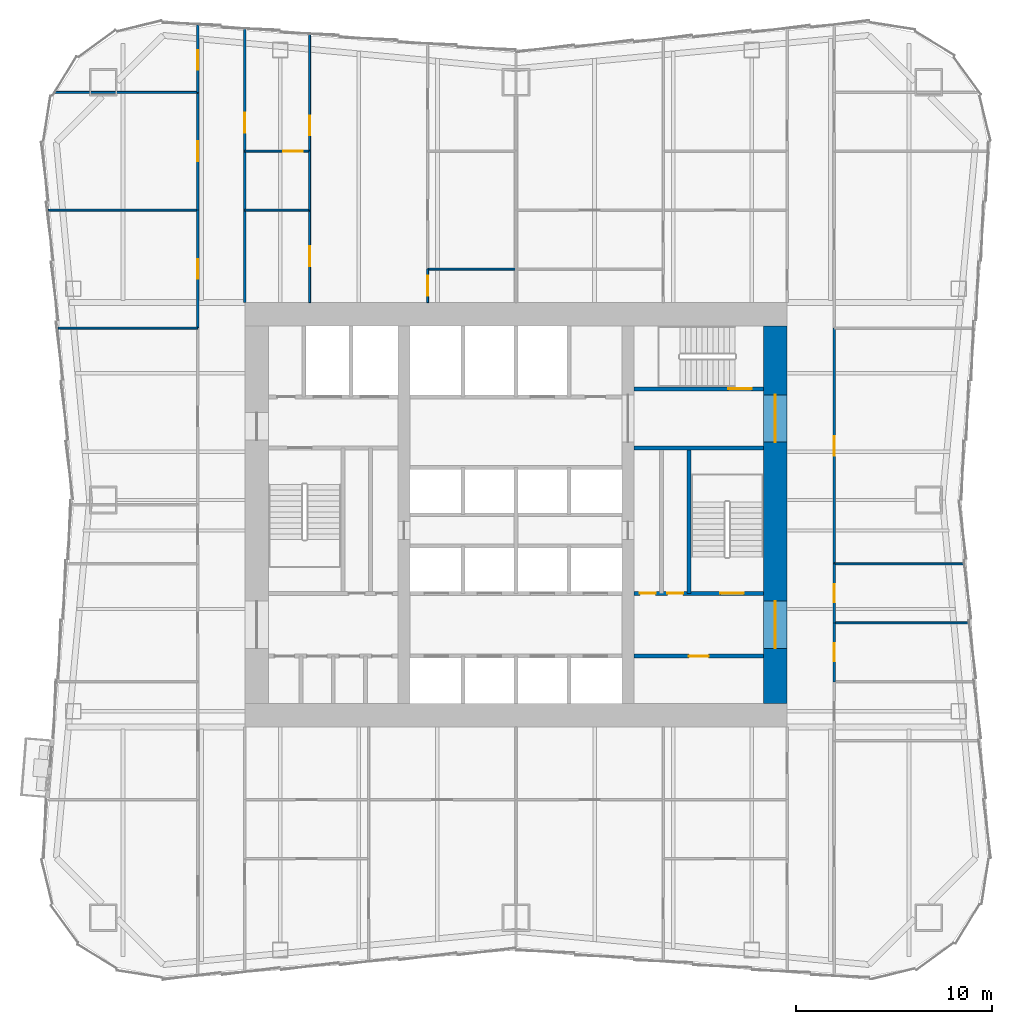
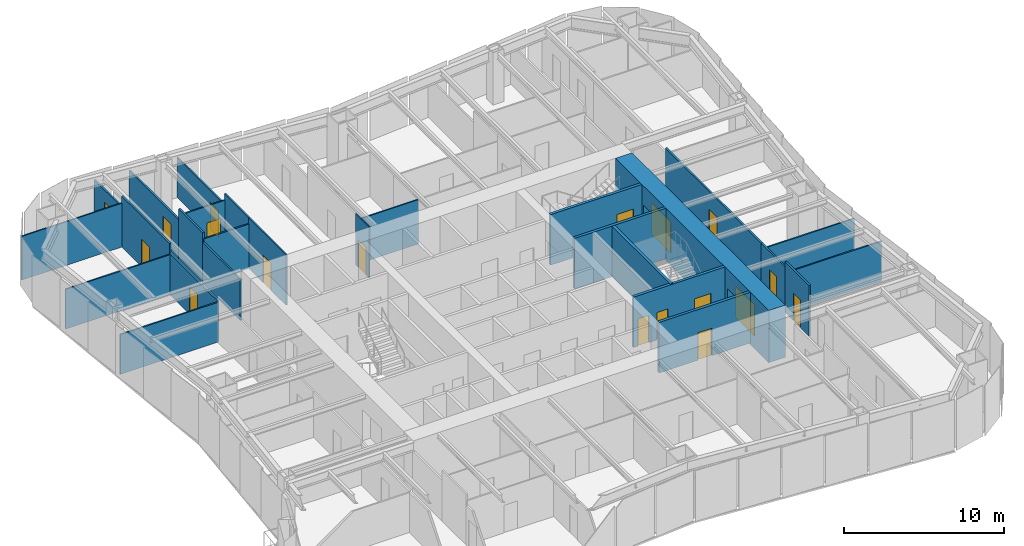
# One storey, part 6 of 9: 27 walls, 18 doors, 18 openings.
"""IFC4 building model written with IfcOpenShell, lengths in metres."""

import ifcopenshell
import ifcopenshell.guid

model = None  # the IFC model being written
_history = None  # IfcOwnerHistory: only IFC2X3 demands one
_inside = {}  # id of a spatial element -> (the spatial element, [elements in it])
_under = {}  # id of a project, library or spatial element -> (it, [spatial elements below it])
_declared = {}  # id of a project -> (the project, [libraries it declares])
_typed = {}  # id of a type object -> (the type object, [elements of that type])
_made_of = {}  # id of a material, layer set ... -> (it, [elements and type objects made of it])


def new_model(schema):
    """Start an empty IFC model of exactly this schema.

    Asked for "IFC4X3", IfcOpenShell would pick the latest addendum, in which some entities
    have other attributes; the version numbers below select the first issue.
    IFC2X3 requires an IfcOwnerHistory on every rooted entity: one is made here for all.
    """
    global model, _history
    if schema == "IFC4X3":
        model = ifcopenshell.file(schema_version=(4, 3, 0, 0))
    else:
        model = ifcopenshell.file(schema=schema)
    _inside.clear()
    _under.clear()
    _declared.clear()
    _typed.clear()
    _made_of.clear()
    _history = None
    if model.schema == "IFC2X3":
        org = make("IfcOrganization", Name="unknown")
        user = make(
            "IfcPersonAndOrganization",
            ThePerson=make("IfcPerson", FamilyName="unknown"),
            TheOrganization=org,
        )
        app = make(
            "IfcApplication",
            ApplicationDeveloper=org,
            Version="unknown",
            ApplicationFullName="unknown",
            ApplicationIdentifier="unknown",
        )
        _history = make(
            "IfcOwnerHistory",
            OwningUser=user,
            OwningApplication=app,
            ChangeAction="ADDED",
            CreationDate=0,
        )
    return model


def make(cls, **values):
    """One entity of the class cls with the attributes given. An attribute that is None is left unset."""
    return model.create_entity(
        cls, **{name: value for name, value in values.items() if value is not None}
    )


def rooted(cls, **values):
    """An entity with a GlobalId (a new one), such as an element, a storey or a relation."""
    return make(cls, GlobalId=ifcopenshell.guid.new(), OwnerHistory=_history, **values)


def si_unit(unit_type, name, prefix=None):
    """IfcSIUnit, for example si_unit("LENGTHUNIT", "METRE", prefix="MILLI")."""
    return make("IfcSIUnit", UnitType=unit_type, Prefix=prefix, Name=name)


def assignment(units):
    """IfcUnitAssignment: the units of a project."""
    return None if units is None else make("IfcUnitAssignment", Units=units)


def point(xyz):
    """IfcCartesianPoint."""
    return None if xyz is None else make("IfcCartesianPoint", Coordinates=xyz)


def direction(xyz):
    """IfcDirection."""
    return None if xyz is None else make("IfcDirection", DirectionRatios=xyz)


def frame(location, z_axis=None, x_axis=None):
    """IfcAxis2Placement3D, a coordinate frame: its origin and axes. An axis left out is left unset."""
    return make(
        "IfcAxis2Placement3D",
        Location=point(location),
        Axis=direction(z_axis),
        RefDirection=direction(x_axis),
    )


def frame_2d(location, x_axis=None):
    """IfcAxis2Placement2D, a coordinate frame in the plane: its origin and x axis."""
    return make(
        "IfcAxis2Placement2D", Location=point(location), RefDirection=direction(x_axis)
    )


def origin():
    """The frame at (0, 0, 0) with its axes left unset."""
    return frame((0.0, 0.0, 0.0))


def place(relative_to, where):
    """IfcLocalPlacement: puts the frame where relative to a parent placement (None: the world)."""
    return make(
        "IfcLocalPlacement", PlacementRelTo=relative_to, RelativePlacement=where
    )


def context(
    kind, dimensions, precision=None, world=None, true_north=None, identifier=None
):
    """IfcGeometricRepresentationContext, for example the 3D "Model" context."""
    return make(
        "IfcGeometricRepresentationContext",
        ContextIdentifier=identifier,
        ContextType=kind,
        CoordinateSpaceDimension=dimensions,
        Precision=precision,
        WorldCoordinateSystem=world,
        TrueNorth=true_north,
    )


def subcontext(parent, identifier, kind, view, scale=None):
    """IfcGeometricRepresentationSubContext, for example "Body" below "Model"."""
    return make(
        "IfcGeometricRepresentationSubContext",
        ContextIdentifier=identifier,
        ContextType=kind,
        ParentContext=parent,
        TargetScale=scale,
        TargetView=view,
    )


def project(units=None, contexts=None):
    """IfcProject with its units and contexts."""
    return rooted(
        "IfcProject",
        Name="project",
        RepresentationContexts=contexts,
        UnitsInContext=assignment(units),
    )


def spatial(cls, under=None, at=None, **own):
    """A site, building, storey or space (cls), placed at a placement, below another one or the project."""
    s = rooted(cls, ObjectPlacement=at, **own)
    if under is not None:
        _under.setdefault(under.id(), (under, []))[1].append(s)
    return s


def profile(cls, at=None, kind="AREA", **sizes):
    """A parametric profile (cls). Its sizes go by their IFC names, for example OverallWidth=200.0."""
    return make(cls, ProfileType=kind, Position=at, **sizes)


def rectangle(**sizes):
    """IfcRectangleProfileDef."""
    return profile("IfcRectangleProfileDef", **sizes)


def extrude(swept, where, along, depth):
    """IfcExtrudedAreaSolid: the profile swept, set in the frame where, extruded along a direction by depth."""
    return make(
        "IfcExtrudedAreaSolid",
        SweptArea=swept,
        Position=where,
        ExtrudedDirection=direction(along),
        Depth=depth,
    )


def shape(context_of_items, identifier, shape_type, items):
    """IfcShapeRepresentation: the items that make up one representation, for example the "Body"."""
    return make(
        "IfcShapeRepresentation",
        ContextOfItems=context_of_items,
        RepresentationIdentifier=identifier,
        RepresentationType=shape_type,
        Items=items,
    )


def material(Name=None, Category=None):
    """IfcMaterial."""
    return make("IfcMaterial", Name=Name, Category=Category)


def layer(
    of_material, thickness, ventilated=None, Name=None, Category=None, Priority=None
):
    """IfcMaterialLayer: one layer of a wall or slab, of a material (None: an air gap)."""
    return make(
        "IfcMaterialLayer",
        Material=of_material,
        LayerThickness=thickness,
        IsVentilated=ventilated,
        Name=Name,
        Category=Category,
        Priority=Priority,
    )


def layer_set(layers, Name=None):
    """IfcMaterialLayerSet."""
    return make("IfcMaterialLayerSet", MaterialLayers=layers, LayerSetName=Name)


def made_of(thing, what):
    """Note that an element or type object is made of a material, layer set ...; save() writes the relation."""
    if what is not None:
        _made_of.setdefault(what.id(), (what, []))[1].append(thing)
    return thing


def type_object(cls, material=None, **own):
    """A type object (cls), such as IfcWallType, which elements share."""
    return made_of(rooted(cls, **own), material)


def element(
    cls,
    number,
    at=None,
    inside=None,
    cuts=None,
    type_object=None,
    material=None,
    context=None,
    identifier="Body",
    shape_type=None,
    held_by="IfcProductDefinitionShape",
    body=None,
    shapes=None,
    **own,
):
    """One element of the class cls, such as IfcWall. Its Tag is "e" and its number.

    at: its placement. inside: the storey or other place that contains it. cuts: it is an
    opening in that element (IfcRelVoidsElement). A single representation is given by context,
    identifier, shape_type and body (its items); several are given by shapes. held_by: the class
    of the entity that holds the representations. save() writes the other relations.
    """
    e = rooted(cls, Tag="e%d" % number, ObjectPlacement=at, **own)
    if body is not None:
        shapes = [shape(context, identifier, shape_type, body)]
    if shapes is not None:
        e.Representation = make(held_by, Representations=shapes)
    if inside is not None:
        _inside.setdefault(inside.id(), (inside, []))[1].append(e)
    if cuts is not None:
        rooted(
            "IfcRelVoidsElement", RelatingBuildingElement=cuts, RelatedOpeningElement=e
        )
    if type_object is not None:
        _typed.setdefault(type_object.id(), (type_object, []))[1].append(e)
    return made_of(e, material)


def fill(opening, filler):
    """IfcRelFillsElement: the door or window that sits in an opening."""
    return rooted(
        "IfcRelFillsElement",
        RelatingOpeningElement=opening,
        RelatedBuildingElement=filler,
    )


def aggregate(whole, parts):
    """IfcRelAggregates: a whole, such as a stair, and the parts it consists of."""
    return rooted("IfcRelAggregates", RelatingObject=whole, RelatedObjects=parts)


def save(model, path):
    """Write the relations noted so far, then the file.

    IfcRelAggregates (storeys below a building ...), IfcRelContainedInSpatialStructure (elements
    in a storey), IfcRelDefinesByType, IfcRelAssociatesMaterial and IfcRelDeclares: one each for
    every whole, place, type object, material and project.
    """
    for whole, parts in _under.values():
        aggregate(whole, parts)
    for where, things in _inside.values():
        rooted(
            "IfcRelContainedInSpatialStructure",
            RelatedElements=things,
            RelatingStructure=where,
        )
    for kind, things in _typed.values():
        rooted("IfcRelDefinesByType", RelatedObjects=things, RelatingType=kind)
    for what, things in _made_of.values():
        rooted("IfcRelAssociatesMaterial", RelatedObjects=things, RelatingMaterial=what)
    for by, libraries in _declared.values():
        rooted("IfcRelDeclares", RelatingContext=by, RelatedDefinitions=libraries)
    model.write(path)


model = new_model("IFC4")

# Units and contexts
model_context = context("Model", 3, precision=1e-05, world=origin(), true_north=direction((0.0, 1.0)))
body_context = subcontext(model_context, "Body", "Model", "MODEL_VIEW")
ifc_project = project(units=[si_unit("LENGTHUNIT", "METRE"), si_unit("AREAUNIT", "SQUARE_METRE"), si_unit("VOLUMEUNIT", "CUBIC_METRE"), si_unit("PLANEANGLEUNIT", "RADIAN"), si_unit("MASSUNIT", "GRAM", prefix="KILO")], contexts=[model_context])

# Site, building, storey
site_placement = place(None, origin())
site = spatial("IfcSite", under=ifc_project, at=site_placement, CompositionType="ELEMENT")
building_placement = place(site_placement, origin())
building = spatial("IfcBuilding", under=site, at=building_placement, Name="Verdant Reach Tower", CompositionType="ELEMENT")
storey_placement = place(building_placement, frame((0.0, 0.0, 78.0)))
storey = spatial("IfcBuildingStorey", under=building, at=storey_placement, Name="L17", CompositionType="ELEMENT", Elevation=78.0)

# Wall, opening, door
ifc_material_1 = material(Name="Gypsum board on steel studs", Category="steel")
ifc_layer_1 = layer(ifc_material_1, 0.199951171875)
ifc_layer_set_1 = layer_set([ifc_layer_1], Name="CO-WALL-ROOM")
wall_type_1 = type_object("IfcWallType", Name="CO-WALL-ROOM", PredefinedType="PARTITIONING", material=ifc_layer_set_1)
wall_1_placement = place(storey_placement, frame((6.0, 20.800048828125, 0.0), z_axis=(0.0, 0.0, 1.0), x_axis=(1.0, 0.0, 0.0)))
wall_1 = element("IfcWall", 1, at=wall_1_placement, inside=storey, type_object=wall_type_1, Name="Core partition, L17", PredefinedType="PARTITIONING", context=body_context, shape_type="SweptSolid", body=[
    extrude(rectangle(XDim=6.60009765625, YDim=0.199951171875, at=frame_2d((3.300048828125, 0.0))), origin(), (0.0, 0.0, 1.0), 3.8701171875),
])
opening_1_placement = place(wall_1_placement, frame((2.800048828125, 0.0, 0.0)))
opening_1 = element("IfcOpeningElement", 2, at=opening_1_placement, cuts=wall_1, Name="Opening CD", PredefinedType="OPENING", context=body_context, shape_type="SweptSolid", body=[
    extrude(rectangle(XDim=1.0, YDim=2.10009765625, at=frame_2d((0.5, 1.050048828125))), frame((0.0, 0.10986328125, 0.0), z_axis=(0.0, -1.0, 0.0), x_axis=(1.0, 0.0, 0.0)), (0.0, 0.0, 1.0), 0.219970703125),
])
ifc_material_2 = material(Name="Timber", Category="wood")
door_type_1 = type_object("IfcDoorType", Name="CO-DOOR-ROOM", OperationType="NOTDEFINED", PredefinedType="DOOR", material=ifc_material_2)
door_1_placement = place(opening_1_placement, origin())
door_1 = element("IfcDoor", 3, at=door_1_placement, inside=storey, type_object=door_type_1, Name="Core room door, L17", OperationType="SINGLE_SWING_LEFT", OverallHeight=2.10009765625, OverallWidth=1.0, PredefinedType="DOOR", context=body_context, shape_type="SweptSolid", body=[
    extrude(rectangle(XDim=1.0, YDim=2.10009765625, at=frame_2d((0.5, 1.050048828125))), frame((0.0, 0.02490234375, 0.0), z_axis=(0.0, -1.0, 0.0), x_axis=(1.0, 0.0, 0.0)), (0.0, 0.0, 1.0), 0.050048828125),
])
fill(opening_1, door_1)

# Wall, openings, doors
ifc_material_3 = material(Name="Concrete C40/50", Category="concrete")
ifc_layer_2 = layer(ifc_material_3, 0.199951171875)
ifc_layer_set_2 = layer_set([ifc_layer_2], Name="CO-WALL-STAIR")
wall_type_2 = type_object("IfcWallType", Name="CO-WALL-STAIR", PredefinedType="PARTITIONING", material=ifc_layer_set_2)
wall_2_placement = place(storey_placement, frame((6.0, 24.0, 0.0), z_axis=(0.0, 0.0, 1.0), x_axis=(1.0, 0.0, 0.0)))
wall_2 = element("IfcWall", 4, at=wall_2_placement, inside=storey, type_object=wall_type_2, Name="Stair enclosure wall, L17", PredefinedType="PARTITIONING", context=body_context, shape_type="SweptSolid", body=[
    extrude(rectangle(XDim=6.60009765625, YDim=0.199951171875, at=frame_2d((3.300048828125, 0.0))), origin(), (0.0, 0.0, 1.0), 3.8701171875),
])
opening_2_placement = place(wall_2_placement, frame((0.300048828125, 0.0, 0.0)))
opening_2 = element("IfcOpeningElement", 5, at=opening_2_placement, cuts=wall_2, Name="Opening CDN", PredefinedType="OPENING", context=body_context, shape_type="SweptSolid", body=[
    extrude(rectangle(XDim=0.800048828125, YDim=2.10009765625, at=frame_2d((0.39990234375, 1.050048828125))), frame((0.0, 0.10986328125, 0.0), z_axis=(0.0, -1.0, 0.0), x_axis=(1.0, 0.0, 0.0)), (0.0, 0.0, 1.0), 0.219970703125),
])
opening_3_placement = place(wall_2_placement, frame((1.699951171875, 0.0, 0.0)))
opening_3 = element("IfcOpeningElement", 6, at=opening_3_placement, cuts=wall_2, Name="Opening CDN", PredefinedType="OPENING", context=body_context, shape_type="SweptSolid", body=[
    extrude(rectangle(XDim=0.800048828125, YDim=2.10009765625, at=frame_2d((0.39990234375, 1.050048828125))), frame((0.0, 0.10986328125, 0.0), z_axis=(0.0, -1.0, 0.0), x_axis=(1.0, 0.0, 0.0)), (0.0, 0.0, 1.0), 0.219970703125),
])
opening_4_placement = place(wall_2_placement, frame((4.39990234375, 0.0, 0.0)))
opening_4 = element("IfcOpeningElement", 7, at=opening_4_placement, cuts=wall_2, Name="Opening SD", PredefinedType="OPENING", context=body_context, shape_type="SweptSolid", body=[
    extrude(rectangle(XDim=1.199951171875, YDim=2.199951171875, at=frame_2d((0.60009765625, 1.10009765625))), frame((0.0, 0.10986328125, 0.0), z_axis=(0.0, -1.0, 0.0), x_axis=(1.0, 0.0, 0.0)), (0.0, 0.0, 1.0), 0.219970703125),
])
door_type_2 = type_object("IfcDoorType", Name="CO-DOOR-ROOM-NARROW", OperationType="NOTDEFINED", PredefinedType="DOOR", material=ifc_material_2)
door_2_placement = place(opening_2_placement, origin())
door_2 = element("IfcDoor", 8, at=door_2_placement, inside=storey, type_object=door_type_2, Name="Core room door, L17", OperationType="SINGLE_SWING_RIGHT", OverallHeight=2.10009765625, OverallWidth=0.800048828125, PredefinedType="DOOR", context=body_context, shape_type="SweptSolid", body=[
    extrude(rectangle(XDim=0.800048828125, YDim=2.10009765625, at=frame_2d((0.39990234375, 1.050048828125))), frame((0.0, 0.02490234375, 0.0), z_axis=(0.0, -1.0, 0.0), x_axis=(1.0, 0.0, 0.0)), (0.0, 0.0, 1.0), 0.050048828125),
])
fill(opening_2, door_2)
door_3_placement = place(opening_3_placement, origin())
door_3 = element("IfcDoor", 9, at=door_3_placement, inside=storey, type_object=door_type_2, Name="Core room door, L17", OperationType="SINGLE_SWING_LEFT", OverallHeight=2.10009765625, OverallWidth=0.800048828125, PredefinedType="DOOR", context=body_context, shape_type="SweptSolid", body=[
    extrude(rectangle(XDim=0.800048828125, YDim=2.10009765625, at=frame_2d((0.39990234375, 1.050048828125))), frame((0.0, 0.02490234375, 0.0), z_axis=(0.0, -1.0, 0.0), x_axis=(1.0, 0.0, 0.0)), (0.0, 0.0, 1.0), 0.050048828125),
])
fill(opening_3, door_3)
ifc_material_4 = material(Name="Steel", Category="steel")
door_type_3 = type_object("IfcDoorType", Name="CO-DOOR-STAIR", OperationType="NOTDEFINED", PredefinedType="DOOR", material=ifc_material_4)
door_4_placement = place(opening_4_placement, origin())
door_4 = element("IfcDoor", 10, at=door_4_placement, inside=storey, type_object=door_type_3, Name="Stair door, L17", OperationType="SINGLE_SWING_LEFT", OverallHeight=2.199951171875, OverallWidth=1.199951171875, PredefinedType="DOOR", context=body_context, shape_type="SweptSolid", body=[
    extrude(rectangle(XDim=1.199951171875, YDim=2.199951171875, at=frame_2d((0.60009765625, 1.10009765625))), frame((0.0, 0.02490234375, 0.0), z_axis=(0.0, -1.0, 0.0), x_axis=(1.0, 0.0, 0.0)), (0.0, 0.0, 1.0), 0.050048828125),
])
fill(opening_4, door_4)

# Wall
wall_3_placement = place(storey_placement, frame((6.0, 31.39990234375, 0.0), z_axis=(0.0, 0.0, 1.0), x_axis=(1.0, 0.0, 0.0)))
element("IfcWall", 11, at=wall_3_placement, inside=storey, type_object=wall_type_2, Name="Stair enclosure wall, L17", PredefinedType="PARTITIONING", context=body_context, shape_type="SweptSolid", body=[
    extrude(rectangle(XDim=6.60009765625, YDim=0.199951171875, at=frame_2d((3.300048828125, 0.0))), origin(), (0.0, 0.0, 1.0), 3.8701171875),
])

# Wall, opening, door
wall_4_placement = place(storey_placement, frame((6.0, 34.39990234375, 0.0), z_axis=(0.0, 0.0, 1.0), x_axis=(1.0, 0.0, 0.0)))
wall_4 = element("IfcWall", 12, at=wall_4_placement, inside=storey, type_object=wall_type_2, Name="Stair enclosure wall, L17", PredefinedType="PARTITIONING", context=body_context, shape_type="SweptSolid", body=[
    extrude(rectangle(XDim=6.60009765625, YDim=0.199951171875, at=frame_2d((3.300048828125, 0.0))), origin(), (0.0, 0.0, 1.0), 3.8701171875),
])
opening_5_placement = place(wall_4_placement, frame((4.800048828125, 0.0, 0.0)))
opening_5 = element("IfcOpeningElement", 13, at=opening_5_placement, cuts=wall_4, Name="Opening SD", PredefinedType="OPENING", context=body_context, shape_type="SweptSolid", body=[
    extrude(rectangle(XDim=1.199951171875, YDim=2.199951171875, at=frame_2d((0.60009765625, 1.10009765625))), frame((0.0, 0.10986328125, 0.0), z_axis=(0.0, -1.0, 0.0), x_axis=(1.0, 0.0, 0.0)), (0.0, 0.0, 1.0), 0.219970703125),
])
door_5_placement = place(opening_5_placement, origin())
door_5 = element("IfcDoor", 14, at=door_5_placement, inside=storey, type_object=door_type_3, Name="Stair door, L17", OperationType="SINGLE_SWING_RIGHT", OverallHeight=2.199951171875, OverallWidth=1.199951171875, PredefinedType="DOOR", context=body_context, shape_type="SweptSolid", body=[
    extrude(rectangle(XDim=1.199951171875, YDim=2.199951171875, at=frame_2d((0.60009765625, 1.10009765625))), frame((0.0, 0.02490234375, 0.0), z_axis=(0.0, -1.0, 0.0), x_axis=(1.0, 0.0, 0.0)), (0.0, 0.0, 1.0), 0.050048828125),
])
fill(opening_5, door_5)

# Walls
wall_5_placement = place(storey_placement, frame((8.800048828125, 24.0, 0.0), z_axis=(0.0, 0.0, 1.0), x_axis=(0.0, 1.0, 0.0)))
element("IfcWall", 15, at=wall_5_placement, inside=storey, type_object=wall_type_2, Name="Stair enclosure wall, L17", PredefinedType="PARTITIONING", context=body_context, shape_type="SweptSolid", body=[
    extrude(rectangle(XDim=7.39990234375, YDim=0.199951171875, at=frame_2d((3.699951171875, 0.0))), origin(), (0.0, 0.0, 1.0), 3.8701171875),
])
ifc_layer_3 = layer(ifc_material_1, 0.10009765625)
ifc_layer_set_3 = layer_set([ifc_layer_3], Name="FL-W1 Partition 100")
wall_type_3 = type_object("IfcWallType", Name="FL-W1 Partition 100", PredefinedType="PARTITIONING", material=ifc_layer_set_3)
wall_6_placement = place(storey_placement, frame((-16.199951171875, 37.5, 0.0), z_axis=(0.0, 0.0, 1.0), x_axis=(-1.0, 0.0, 0.0)))
element("IfcWall", 16, at=wall_6_placement, inside=storey, type_object=wall_type_3, Name="Partition 17.33", PredefinedType="PARTITIONING", context=body_context, shape_type="SweptSolid", body=[
    extrude(rectangle(XDim=7.099365234375, YDim=0.10009765625, at=frame_2d((3.5498046875, 0.0))), origin(), (0.0, 0.0, 1.0), 3.0400390625),
])
wall_7_placement = place(storey_placement, frame((-16.199951171875, 43.5, 0.0), z_axis=(0.0, 0.0, 1.0), x_axis=(-1.0, 0.0, 0.0)))
element("IfcWall", 17, at=wall_7_placement, inside=storey, type_object=wall_type_3, Name="Partition 17.34", PredefinedType="PARTITIONING", context=body_context, shape_type="SweptSolid", body=[
    extrude(rectangle(XDim=7.59228515625, YDim=0.10009765625, at=frame_2d((3.796142578125, 0.0))), origin(), (0.0, 0.0, 1.0), 3.0400390625),
])
wall_8_placement = place(storey_placement, frame((-16.199951171875, 49.5, 0.0), z_axis=(0.0, 0.0, 1.0), x_axis=(-1.0, 0.0, 0.0)))
element("IfcWall", 18, at=wall_8_placement, inside=storey, type_object=wall_type_3, Name="Partition 17.35", PredefinedType="PARTITIONING", context=body_context, shape_type="SweptSolid", body=[
    extrude(rectangle(XDim=7.287109375, YDim=0.10009765625, at=frame_2d((3.6435546875, 0.0))), origin(), (0.0, 0.0, 1.0), 3.340087890625),
])
wall_9_placement = place(storey_placement, frame((23.09375, 22.5, 0.0), z_axis=(0.0, 0.0, 1.0), x_axis=(-1.0, 0.0, 0.0)))
element("IfcWall", 19, at=wall_9_placement, inside=storey, type_object=wall_type_3, Name="Partition 17.38", PredefinedType="PARTITIONING", context=body_context, shape_type="SweptSolid", body=[
    extrude(rectangle(XDim=6.893798828125, YDim=0.10009765625, at=frame_2d((3.44677734375, 0.0))), origin(), (0.0, 0.0, 1.0), 3.0400390625),
])
wall_10_placement = place(storey_placement, frame((22.84716796875, 25.5, 0.0), z_axis=(0.0, 0.0, 1.0), x_axis=(-1.0, 0.0, 0.0)))
element("IfcWall", 20, at=wall_10_placement, inside=storey, type_object=wall_type_3, Name="Partition 17.39", PredefinedType="PARTITIONING", context=body_context, shape_type="SweptSolid", body=[
    extrude(rectangle(XDim=6.647216796875, YDim=0.10009765625, at=frame_2d((3.32373046875, 0.0))), origin(), (0.0, 0.0, 1.0), 3.0400390625),
])
wall_11_placement = place(storey_placement, frame((-10.5, 43.5, 0.0), z_axis=(0.0, 0.0, 1.0), x_axis=(-1.0, 0.0, 0.0)))
element("IfcWall", 21, at=wall_11_placement, inside=storey, type_object=wall_type_3, Name="Partition 17.57", PredefinedType="PARTITIONING", context=body_context, shape_type="SweptSolid", body=[
    extrude(rectangle(XDim=3.300048828125, YDim=0.10009765625, at=frame_2d((1.64990234375, 0.0))), origin(), (0.0, 0.0, 1.0), 3.389892578125),
])

# Wall, opening, door
wall_12_placement = place(storey_placement, frame((-10.5, 38.800048828125, 0.0), z_axis=(0.0, 0.0, 1.0), x_axis=(0.0, 1.0, 0.0)))
wall_12 = element("IfcWall", 22, at=wall_12_placement, inside=storey, type_object=wall_type_3, Name="Partition 17.58", PredefinedType="PARTITIONING", context=body_context, shape_type="SweptSolid", body=[
    extrude(rectangle(XDim=4.703857421875, YDim=0.10009765625, at=frame_2d((2.35205078125, 0.0))), origin(), (0.0, 0.0, 1.0), 3.8701171875),
])
opening_6_placement = place(wall_12_placement, frame((1.85205078125, 0.0, 0.0)))
opening_6 = element("IfcOpeningElement", 23, at=opening_6_placement, cuts=wall_12, Name="Opening D3", PredefinedType="OPENING", context=body_context, shape_type="SweptSolid", body=[
    extrude(rectangle(XDim=1.0, YDim=2.10009765625, at=frame_2d((0.5, 1.050048828125))), frame((0.0, 0.06005859375, 0.0), z_axis=(0.0, -1.0, 0.0), x_axis=(1.0, 0.0, 0.0)), (0.0, 0.0, 1.0), 0.1201171875),
])
ifc_material_5 = material(Name="Painted timber door leaf", Category="wood")
door_type_4 = type_object("IfcDoorType", Name="FL-D3 Door 1000x2100", OperationType="NOTDEFINED", PredefinedType="DOOR", material=ifc_material_5)
door_6_placement = place(opening_6_placement, origin())
door_6 = element("IfcDoor", 24, at=door_6_placement, inside=storey, type_object=door_type_4, Name="Door 17-030", OperationType="SINGLE_SWING_RIGHT", OverallHeight=2.10009765625, OverallWidth=1.0, PredefinedType="DOOR", context=body_context, shape_type="SweptSolid", body=[
    extrude(rectangle(XDim=1.0, YDim=2.10009765625, at=frame_2d((0.5, 1.050048828125))), frame((0.0, 0.02490234375, 0.0), z_axis=(0.0, -1.0, 0.0), x_axis=(1.0, 0.0, 0.0)), (0.0, 0.0, 1.0), 0.050048828125),
])
fill(opening_6, door_6)

wall_13_placement = place(storey_placement, frame((-10.5, 46.5, 0.0), z_axis=(0.0, 0.0, 1.0), x_axis=(-1.0, 0.0, 0.0)))
wall_13 = element("IfcWall", 25, at=wall_13_placement, inside=storey, type_object=wall_type_3, Name="Partition 17.59", PredefinedType="PARTITIONING", context=body_context, shape_type="SweptSolid", body=[
    extrude(rectangle(XDim=3.300048828125, YDim=0.10009765625, at=frame_2d((1.64990234375, 0.0))), origin(), (0.0, 0.0, 1.0), 3.389892578125),
])
opening_7_placement = place(wall_13_placement, frame((0.35009765625, 0.0, 0.0)))
opening_7 = element("IfcOpeningElement", 26, at=opening_7_placement, cuts=wall_13, Name="Opening D3", PredefinedType="OPENING", context=body_context, shape_type="SweptSolid", body=[
    extrude(rectangle(XDim=1.0, YDim=2.10009765625, at=frame_2d((0.5, 1.050048828125))), frame((0.0, 0.06005859375, 0.0), z_axis=(0.0, -1.0, 0.0), x_axis=(1.0, 0.0, 0.0)), (0.0, 0.0, 1.0), 0.1201171875),
])
door_7_placement = place(opening_7_placement, origin())
door_7 = element("IfcDoor", 27, at=door_7_placement, inside=storey, type_object=door_type_4, Name="Door 17-031", OperationType="SINGLE_SWING_LEFT", OverallHeight=2.10009765625, OverallWidth=1.0, PredefinedType="DOOR", context=body_context, shape_type="SweptSolid", body=[
    extrude(rectangle(XDim=1.0, YDim=2.10009765625, at=frame_2d((0.5, 1.050048828125))), frame((0.0, 0.02490234375, 0.0), z_axis=(0.0, -1.0, 0.0), x_axis=(1.0, 0.0, 0.0)), (0.0, 0.0, 1.0), 0.050048828125),
])
fill(opening_7, door_7)

# Wall
wall_14_placement = place(storey_placement, frame((-10.5, 43.49609375, 0.0), z_axis=(0.0, 0.0, 1.0), x_axis=(0.0, 1.0, 0.0)))
element("IfcWall", 28, at=wall_14_placement, inside=storey, type_object=wall_type_3, Name="Partition 17.60", PredefinedType="PARTITIONING", context=body_context, shape_type="SweptSolid", body=[
    extrude(rectangle(XDim=3.0078125, YDim=0.10009765625, at=frame_2d((1.50390625, 0.0))), origin(), (0.0, 0.0, 1.0), 3.8701171875),
])

# Wall, opening, door
wall_15_placement = place(storey_placement, frame((-10.5, 52.455078125, 0.0), z_axis=(0.0, 0.0, 1.0), x_axis=(0.0, -1.0, 0.0)))
wall_15 = element("IfcWall", 29, at=wall_15_placement, inside=storey, type_object=wall_type_3, Name="Partition 17.61", PredefinedType="PARTITIONING", context=body_context, shape_type="SweptSolid", body=[
    extrude(rectangle(XDim=5.958984375, YDim=0.10009765625, at=frame_2d((2.9794921875, 0.0))), origin(), (0.0, 0.0, 1.0), 3.0400390625),
])
opening_8_placement = place(wall_15_placement, frame((4.14453125, 0.0, 0.0)))
opening_8 = element("IfcOpeningElement", 30, at=opening_8_placement, cuts=wall_15, Name="Opening D3", PredefinedType="OPENING", context=body_context, shape_type="SweptSolid", body=[
    extrude(rectangle(XDim=1.0, YDim=2.10009765625, at=frame_2d((0.5, 1.050048828125))), frame((0.0, 0.06005859375, 0.0), z_axis=(0.0, -1.0, 0.0), x_axis=(1.0, 0.0, 0.0)), (0.0, 0.0, 1.0), 0.1201171875),
])
door_8_placement = place(opening_8_placement, origin())
door_8 = element("IfcDoor", 31, at=door_8_placement, inside=storey, type_object=door_type_4, Name="Door 17-032", OperationType="SINGLE_SWING_RIGHT", OverallHeight=2.10009765625, OverallWidth=1.0, PredefinedType="DOOR", context=body_context, shape_type="SweptSolid", body=[
    extrude(rectangle(XDim=1.0, YDim=2.10009765625, at=frame_2d((0.5, 1.050048828125))), frame((0.0, 0.02490234375, 0.0), z_axis=(0.0, -1.0, 0.0), x_axis=(1.0, 0.0, 0.0)), (0.0, 0.0, 1.0), 0.050048828125),
])
fill(opening_8, door_8)

wall_16_placement = place(storey_placement, frame((-4.5, 40.5, 0.0), z_axis=(0.0, 0.0, 1.0), x_axis=(0.0, -1.0, 0.0)))
wall_16 = element("IfcWall", 32, at=wall_16_placement, inside=storey, type_object=wall_type_3, Name="Partition 17.62", PredefinedType="PARTITIONING", context=body_context, shape_type="SweptSolid", body=[
    extrude(rectangle(XDim=1.699951171875, YDim=0.10009765625, at=frame_2d((0.85009765625, 0.0))), origin(), (0.0, 0.0, 1.0), 3.8701171875),
])
opening_9_placement = place(wall_16_placement, frame((0.35009765625, 0.0, 0.0)))
opening_9 = element("IfcOpeningElement", 33, at=opening_9_placement, cuts=wall_16, Name="Opening D3", PredefinedType="OPENING", context=body_context, shape_type="SweptSolid", body=[
    extrude(rectangle(XDim=1.0, YDim=2.10009765625, at=frame_2d((0.5, 1.050048828125))), frame((0.0, 0.06005859375, 0.0), z_axis=(0.0, -1.0, 0.0), x_axis=(1.0, 0.0, 0.0)), (0.0, 0.0, 1.0), 0.1201171875),
])
door_9_placement = place(opening_9_placement, origin())
door_9 = element("IfcDoor", 34, at=door_9_placement, inside=storey, type_object=door_type_4, Name="Door 17-033", OperationType="SINGLE_SWING_LEFT", OverallHeight=2.10009765625, OverallWidth=1.0, PredefinedType="DOOR", context=body_context, shape_type="SweptSolid", body=[
    extrude(rectangle(XDim=1.0, YDim=2.10009765625, at=frame_2d((0.5, 1.050048828125))), frame((0.0, 0.02490234375, 0.0), z_axis=(0.0, -1.0, 0.0), x_axis=(1.0, 0.0, 0.0)), (0.0, 0.0, 1.0), 0.050048828125),
])
fill(opening_9, door_9)

# Wall
wall_17_placement = place(storey_placement, frame((0.0, 40.5, 0.0), z_axis=(0.0, 0.0, 1.0), x_axis=(-1.0, 0.0, 0.0)))
element("IfcWall", 35, at=wall_17_placement, inside=storey, type_object=wall_type_3, Name="Partition 17.65", PredefinedType="PARTITIONING", context=body_context, shape_type="SweptSolid", body=[
    extrude(rectangle(XDim=4.5, YDim=0.10009765625, at=frame_2d((2.25, 0.0))), origin(), (0.0, 0.0, 1.0), 3.389892578125),
])

# Wall, opening, door
ifc_material_6 = material(Name="Gypsum board on steel studs, fire rated", Category="steel")
ifc_layer_4 = layer(ifc_material_6, 0.125)
ifc_layer_set_4 = layer_set([ifc_layer_4], Name="FL-W2 Corridor wall 125")
wall_type_4 = type_object("IfcWallType", Name="FL-W2 Corridor wall 125", PredefinedType="PARTITIONING", material=ifc_layer_set_4)
wall_18_placement = place(storey_placement, frame((-16.199951171875, 37.5, 0.0), z_axis=(0.0, 0.0, 1.0), x_axis=(0.0, 1.0, 0.0)))
wall_18 = element("IfcWall", 36, at=wall_18_placement, inside=storey, type_object=wall_type_4, Name="Partition 17.06", PredefinedType="PARTITIONING", context=body_context, shape_type="SweptSolid", body=[
    extrude(rectangle(XDim=6.0, YDim=0.125, at=frame_2d((3.0, 0.0))), origin(), (0.0, 0.0, 1.0), 3.139892578125),
])
opening_10_placement = place(wall_18_placement, frame((2.5, 0.0, 0.0)))
opening_10 = element("IfcOpeningElement", 37, at=opening_10_placement, cuts=wall_18, Name="Opening D2", PredefinedType="OPENING", context=body_context, shape_type="SweptSolid", body=[
    extrude(rectangle(XDim=1.0, YDim=2.10009765625, at=frame_2d((0.5, 1.050048828125))), frame((0.0, 0.072509765625, 0.0), z_axis=(0.0, -1.0, 0.0), x_axis=(1.0, 0.0, 0.0)), (0.0, 0.0, 1.0), 0.14501953125),
])
ifc_material_7 = material(Name="Timber door leaf, fire rated", Category="wood")
door_type_5 = type_object("IfcDoorType", Name="FL-D2 Entrance door 1000x2100 FD30", OperationType="NOTDEFINED", PredefinedType="DOOR", material=ifc_material_7)
door_10_placement = place(opening_10_placement, origin())
door_10 = element("IfcDoor", 38, at=door_10_placement, inside=storey, type_object=door_type_5, Name="Door 17-006", OperationType="SINGLE_SWING_RIGHT", OverallHeight=2.10009765625, OverallWidth=1.0, PredefinedType="DOOR", context=body_context, shape_type="SweptSolid", body=[
    extrude(rectangle(XDim=1.0, YDim=2.10009765625, at=frame_2d((0.5, 1.050048828125))), frame((0.0, 0.02490234375, 0.0), z_axis=(0.0, -1.0, 0.0), x_axis=(1.0, 0.0, 0.0)), (0.0, 0.0, 1.0), 0.050048828125),
])
fill(opening_10, door_10)

wall_19_placement = place(storey_placement, frame((-16.199951171875, 43.5, 0.0), z_axis=(0.0, 0.0, 1.0), x_axis=(0.0, 1.0, 0.0)))
wall_19 = element("IfcWall", 39, at=wall_19_placement, inside=storey, type_object=wall_type_4, Name="Partition 17.07", PredefinedType="PARTITIONING", context=body_context, shape_type="SweptSolid", body=[
    extrude(rectangle(XDim=6.0, YDim=0.125, at=frame_2d((3.0, 0.0))), origin(), (0.0, 0.0, 1.0), 3.8701171875),
])
opening_11_placement = place(wall_19_placement, frame((2.5, 0.0, 0.0)))
opening_11 = element("IfcOpeningElement", 40, at=opening_11_placement, cuts=wall_19, Name="Opening D2", PredefinedType="OPENING", context=body_context, shape_type="SweptSolid", body=[
    extrude(rectangle(XDim=1.0, YDim=2.10009765625, at=frame_2d((0.5, 1.050048828125))), frame((0.0, 0.072509765625, 0.0), z_axis=(0.0, -1.0, 0.0), x_axis=(1.0, 0.0, 0.0)), (0.0, 0.0, 1.0), 0.14501953125),
])
door_11_placement = place(opening_11_placement, origin())
door_11 = element("IfcDoor", 41, at=door_11_placement, inside=storey, type_object=door_type_5, Name="Door 17-007", OperationType="SINGLE_SWING_LEFT", OverallHeight=2.10009765625, OverallWidth=1.0, PredefinedType="DOOR", context=body_context, shape_type="SweptSolid", body=[
    extrude(rectangle(XDim=1.0, YDim=2.10009765625, at=frame_2d((0.5, 1.050048828125))), frame((0.0, 0.02490234375, 0.0), z_axis=(0.0, -1.0, 0.0), x_axis=(1.0, 0.0, 0.0)), (0.0, 0.0, 1.0), 0.050048828125),
])
fill(opening_11, door_11)

wall_20_placement = place(storey_placement, frame((-16.199951171875, 49.5, 0.0), z_axis=(0.0, 0.0, 1.0), x_axis=(0.0, 1.0, 0.0)))
wall_20 = element("IfcWall", 42, at=wall_20_placement, inside=storey, type_object=wall_type_4, Name="Partition 17.08", PredefinedType="PARTITIONING", context=body_context, shape_type="SweptSolid", body=[
    extrude(rectangle(XDim=3.429931640625, YDim=0.125, at=frame_2d((1.71484375, 0.0))), origin(), (0.0, 0.0, 1.0), 3.0400390625),
])
opening_12_placement = place(wall_20_placement, frame((1.14990234375, 0.0, 0.0)))
opening_12 = element("IfcOpeningElement", 43, at=opening_12_placement, cuts=wall_20, Name="Opening D2", PredefinedType="OPENING", context=body_context, shape_type="SweptSolid", body=[
    extrude(rectangle(XDim=1.0, YDim=2.10009765625, at=frame_2d((0.5, 1.050048828125))), frame((0.0, 0.072509765625, 0.0), z_axis=(0.0, -1.0, 0.0), x_axis=(1.0, 0.0, 0.0)), (0.0, 0.0, 1.0), 0.14501953125),
])
door_12_placement = place(opening_12_placement, origin())
door_12 = element("IfcDoor", 44, at=door_12_placement, inside=storey, type_object=door_type_5, Name="Door 17-008", OperationType="SINGLE_SWING_LEFT", OverallHeight=2.10009765625, OverallWidth=1.0, PredefinedType="DOOR", context=body_context, shape_type="SweptSolid", body=[
    extrude(rectangle(XDim=1.0, YDim=2.10009765625, at=frame_2d((0.5, 1.050048828125))), frame((0.0, 0.02490234375, 0.0), z_axis=(0.0, -1.0, 0.0), x_axis=(1.0, 0.0, 0.0)), (0.0, 0.0, 1.0), 0.050048828125),
])
fill(opening_12, door_12)

# Walls
wall_21_placement = place(storey_placement, frame((-13.800048828125, 38.800048828125, 0.0), z_axis=(0.0, 0.0, 1.0), x_axis=(0.0, 1.0, 0.0)))
element("IfcWall", 45, at=wall_21_placement, inside=storey, type_object=wall_type_4, Name="Partition 17.12", PredefinedType="PARTITIONING", context=body_context, shape_type="SweptSolid", body=[
    extrude(rectangle(XDim=4.699951171875, YDim=0.125, at=frame_2d((2.35009765625, 0.0))), origin(), (0.0, 0.0, 1.0), 3.139892578125),
])
wall_22_placement = place(storey_placement, frame((-13.800048828125, 43.5, 0.0), z_axis=(0.0, 0.0, 1.0), x_axis=(0.0, 1.0, 0.0)))
element("IfcWall", 46, at=wall_22_placement, inside=storey, type_object=wall_type_4, Name="Partition 17.13", PredefinedType="PARTITIONING", context=body_context, shape_type="SweptSolid", body=[
    extrude(rectangle(XDim=3.0, YDim=0.125, at=frame_2d((1.5, 0.0))), origin(), (0.0, 0.0, 1.0), 3.8701171875),
])

# Wall, opening, door
wall_23_placement = place(storey_placement, frame((-13.800048828125, 52.72998046875, 0.0), z_axis=(0.0, 0.0, 1.0), x_axis=(0.0, -1.0, 0.0)))
wall_23 = element("IfcWall", 47, at=wall_23_placement, inside=storey, type_object=wall_type_4, Name="Partition 17.14", PredefinedType="PARTITIONING", context=body_context, shape_type="SweptSolid", body=[
    extrude(rectangle(XDim=6.22998046875, YDim=0.125, at=frame_2d((3.114990234375, 0.0))), origin(), (0.0, 0.0, 1.0), 3.0400390625),
])
opening_13_placement = place(wall_23_placement, frame((4.280029296875, 0.0, 0.0)))
opening_13 = element("IfcOpeningElement", 48, at=opening_13_placement, cuts=wall_23, Name="Opening D2", PredefinedType="OPENING", context=body_context, shape_type="SweptSolid", body=[
    extrude(rectangle(XDim=1.0, YDim=2.10009765625, at=frame_2d((0.5, 1.050048828125))), frame((0.0, 0.072509765625, 0.0), z_axis=(0.0, -1.0, 0.0), x_axis=(1.0, 0.0, 0.0)), (0.0, 0.0, 1.0), 0.14501953125),
])
door_13_placement = place(opening_13_placement, origin())
door_13 = element("IfcDoor", 49, at=door_13_placement, inside=storey, type_object=door_type_5, Name="Door 17-010", OperationType="SINGLE_SWING_RIGHT", OverallHeight=2.10009765625, OverallWidth=1.0, PredefinedType="DOOR", context=body_context, shape_type="SweptSolid", body=[
    extrude(rectangle(XDim=1.0, YDim=2.10009765625, at=frame_2d((0.5, 1.050048828125))), frame((0.0, 0.02490234375, 0.0), z_axis=(0.0, -1.0, 0.0), x_axis=(1.0, 0.0, 0.0)), (0.0, 0.0, 1.0), 0.050048828125),
])
fill(opening_13, door_13)

wall_24_placement = place(storey_placement, frame((16.199951171875, 22.5, 0.0), z_axis=(0.0, 0.0, 1.0), x_axis=(0.0, -1.0, 0.0)))
wall_24 = element("IfcWall", 50, at=wall_24_placement, inside=storey, type_object=wall_type_4, Name="Partition 17.17", PredefinedType="PARTITIONING", context=body_context, shape_type="SweptSolid", body=[
    extrude(rectangle(XDim=3.0, YDim=0.125, at=frame_2d((1.5, 0.0))), origin(), (0.0, 0.0, 1.0), 3.8701171875),
])
opening_14_placement = place(wall_24_placement, frame((1.050048828125, 0.0, 0.0)))
opening_14 = element("IfcOpeningElement", 51, at=opening_14_placement, cuts=wall_24, Name="Opening D1", PredefinedType="OPENING", context=body_context, shape_type="SweptSolid", body=[
    extrude(rectangle(XDim=0.89990234375, YDim=2.10009765625, at=frame_2d((0.449951171875, 1.050048828125))), frame((0.0, 0.072509765625, 0.0), z_axis=(0.0, -1.0, 0.0), x_axis=(1.0, 0.0, 0.0)), (0.0, 0.0, 1.0), 0.14501953125),
])
door_type_6 = type_object("IfcDoorType", Name="FL-D1 Door 900x2100", OperationType="NOTDEFINED", PredefinedType="DOOR", material=ifc_material_5)
door_14_placement = place(opening_14_placement, origin())
door_14 = element("IfcDoor", 52, at=door_14_placement, inside=storey, type_object=door_type_6, Name="Door 17-013", OperationType="SINGLE_SWING_LEFT", OverallHeight=2.10009765625, OverallWidth=0.89990234375, PredefinedType="DOOR", context=body_context, shape_type="SweptSolid", body=[
    extrude(rectangle(XDim=0.89990234375, YDim=2.10009765625, at=frame_2d((0.449951171875, 1.050048828125))), frame((0.0, 0.02490234375, 0.0), z_axis=(0.0, -1.0, 0.0), x_axis=(1.0, 0.0, 0.0)), (0.0, 0.0, 1.0), 0.050048828125),
])
fill(opening_14, door_14)

wall_25_placement = place(storey_placement, frame((16.199951171875, 25.5, 0.0), z_axis=(0.0, 0.0, 1.0), x_axis=(0.0, -1.0, 0.0)))
wall_25 = element("IfcWall", 53, at=wall_25_placement, inside=storey, type_object=wall_type_4, Name="Partition 17.18", PredefinedType="PARTITIONING", context=body_context, shape_type="SweptSolid", body=[
    extrude(rectangle(XDim=3.0, YDim=0.125, at=frame_2d((1.5, 0.0))), origin(), (0.0, 0.0, 1.0), 3.47998046875),
])
opening_15_placement = place(wall_25_placement, frame((1.050048828125, 0.0, 0.0)))
opening_15 = element("IfcOpeningElement", 54, at=opening_15_placement, cuts=wall_25, Name="Opening D1", PredefinedType="OPENING", context=body_context, shape_type="SweptSolid", body=[
    extrude(rectangle(XDim=0.89990234375, YDim=2.10009765625, at=frame_2d((0.449951171875, 1.050048828125))), frame((0.0, 0.072509765625, 0.0), z_axis=(0.0, -1.0, 0.0), x_axis=(1.0, 0.0, 0.0)), (0.0, 0.0, 1.0), 0.14501953125),
])
door_15_placement = place(opening_15_placement, origin())
door_15 = element("IfcDoor", 55, at=door_15_placement, inside=storey, type_object=door_type_6, Name="Door 17-014", OperationType="SINGLE_SWING_RIGHT", OverallHeight=2.10009765625, OverallWidth=0.89990234375, PredefinedType="DOOR", context=body_context, shape_type="SweptSolid", body=[
    extrude(rectangle(XDim=0.89990234375, YDim=2.10009765625, at=frame_2d((0.449951171875, 1.050048828125))), frame((0.0, 0.02490234375, 0.0), z_axis=(0.0, -1.0, 0.0), x_axis=(1.0, 0.0, 0.0)), (0.0, 0.0, 1.0), 0.050048828125),
])
fill(opening_15, door_15)

wall_26_placement = place(storey_placement, frame((16.199951171875, 37.5, 0.0), z_axis=(0.0, 0.0, 1.0), x_axis=(0.0, -1.0, 0.0)))
wall_26 = element("IfcWall", 56, at=wall_26_placement, inside=storey, type_object=wall_type_4, Name="Partition 17.19", PredefinedType="PARTITIONING", context=body_context, shape_type="SweptSolid", body=[
    extrude(rectangle(XDim=12.0, YDim=0.125, at=frame_2d((6.0, 0.0))), origin(), (0.0, 0.0, 1.0), 3.47998046875),
])
opening_16_placement = place(wall_26_placement, frame((5.5, 0.0, 0.0)))
opening_16 = element("IfcOpeningElement", 57, at=opening_16_placement, cuts=wall_26, Name="Opening D2", PredefinedType="OPENING", context=body_context, shape_type="SweptSolid", body=[
    extrude(rectangle(XDim=1.0, YDim=2.10009765625, at=frame_2d((0.5, 1.050048828125))), frame((0.0, 0.072509765625, 0.0), z_axis=(0.0, -1.0, 0.0), x_axis=(1.0, 0.0, 0.0)), (0.0, 0.0, 1.0), 0.14501953125),
])
door_16_placement = place(opening_16_placement, origin())
door_16 = element("IfcDoor", 58, at=door_16_placement, inside=storey, type_object=door_type_5, Name="Door 17-015", OperationType="SINGLE_SWING_LEFT", OverallHeight=2.10009765625, OverallWidth=1.0, PredefinedType="DOOR", context=body_context, shape_type="SweptSolid", body=[
    extrude(rectangle(XDim=1.0, YDim=2.10009765625, at=frame_2d((0.5, 1.050048828125))), frame((0.0, 0.02490234375, 0.0), z_axis=(0.0, -1.0, 0.0), x_axis=(1.0, 0.0, 0.0)), (0.0, 0.0, 1.0), 0.050048828125),
])
fill(opening_16, door_16)

# Wall, openings, doors
ifc_material_8 = material(Name="Concrete C70/85", Category="concrete")
ifc_layer_5 = layer(ifc_material_8, 1.199951171875)
ifc_layer_set_5 = layer_set([ifc_layer_5], Name="ST-CORE-WALL-1200")
wall_type_5 = type_object("IfcWallType", Name="ST-CORE-WALL-1200", PredefinedType="SHEAR", material=ifc_layer_set_5)
wall_27_placement = place(storey_placement, frame((13.199951171875, 18.39990234375, -0.1298828125), z_axis=(0.0, 0.0, 1.0), x_axis=(0.0, 1.0, 0.0)))
wall_27 = element("IfcWall", 59, at=wall_27_placement, inside=storey, type_object=wall_type_5, Name="Core wall E, L17", PredefinedType="SHEAR", context=body_context, shape_type="SweptSolid", body=[
    extrude(rectangle(XDim=19.2001953125, YDim=1.199951171875, at=frame_2d((9.60009765625, 0.0))), origin(), (0.0, 0.0, 1.0), 4.0),
])
opening_17_placement = place(wall_27_placement, frame((2.800048828125, 0.0, 0.1298828125)))
opening_17 = element("IfcOpeningElement", 60, at=opening_17_placement, cuts=wall_27, Name="Opening LB", PredefinedType="OPENING", context=body_context, shape_type="SweptSolid", body=[
    extrude(rectangle(XDim=2.39990234375, YDim=2.39990234375, at=frame_2d((1.199951171875, 1.199951171875))), frame((0.0, 0.60986328125, 0.0), z_axis=(0.0, -1.0, 0.0), x_axis=(1.0, 0.0, 0.0)), (0.0, 0.0, 1.0), 1.219970703125),
])
opening_18_placement = place(wall_27_placement, frame((13.300048828125, 0.0, 0.1298828125)))
opening_18 = element("IfcOpeningElement", 61, at=opening_18_placement, cuts=wall_27, Name="Opening LB", PredefinedType="OPENING", context=body_context, shape_type="SweptSolid", body=[
    extrude(rectangle(XDim=2.39990234375, YDim=2.39990234375, at=frame_2d((1.199951171875, 1.199951171875))), frame((0.0, 0.60986328125, 0.0), z_axis=(0.0, -1.0, 0.0), x_axis=(1.0, 0.0, 0.0)), (0.0, 0.0, 1.0), 1.219970703125),
])
ifc_material_9 = material(Name="Glass and steel", Category="steel")
door_type_7 = type_object("IfcDoorType", Name="CO-DOOR-LOBBY", OperationType="DOUBLE_DOOR_SINGLE_SWING", PredefinedType="DOOR", material=ifc_material_9)
door_17_placement = place(opening_17_placement, origin())
door_17 = element("IfcDoor", 62, at=door_17_placement, inside=storey, type_object=door_type_7, Name="Core entrance door, L17", OperationType="DOUBLE_DOOR_SINGLE_SWING", OverallHeight=2.39990234375, OverallWidth=2.39990234375, PredefinedType="DOOR", context=body_context, shape_type="SweptSolid", body=[
    extrude(rectangle(XDim=2.39990234375, YDim=2.39990234375, at=frame_2d((1.199951171875, 1.199951171875))), frame((0.0, 0.02490234375, 0.0), z_axis=(0.0, -1.0, 0.0), x_axis=(1.0, 0.0, 0.0)), (0.0, 0.0, 1.0), 0.050048828125),
])
fill(opening_17, door_17)
door_18_placement = place(opening_18_placement, origin())
door_18 = element("IfcDoor", 63, at=door_18_placement, inside=storey, type_object=door_type_7, Name="Core entrance door, L17", OperationType="DOUBLE_DOOR_SINGLE_SWING", OverallHeight=2.39990234375, OverallWidth=2.39990234375, PredefinedType="DOOR", context=body_context, shape_type="SweptSolid", body=[
    extrude(rectangle(XDim=2.39990234375, YDim=2.39990234375, at=frame_2d((1.199951171875, 1.199951171875))), frame((0.0, 0.02490234375, 0.0), z_axis=(0.0, -1.0, 0.0), x_axis=(1.0, 0.0, 0.0)), (0.0, 0.0, 1.0), 0.050048828125),
])
fill(opening_18, door_18)

save(model, "model.ifc")
